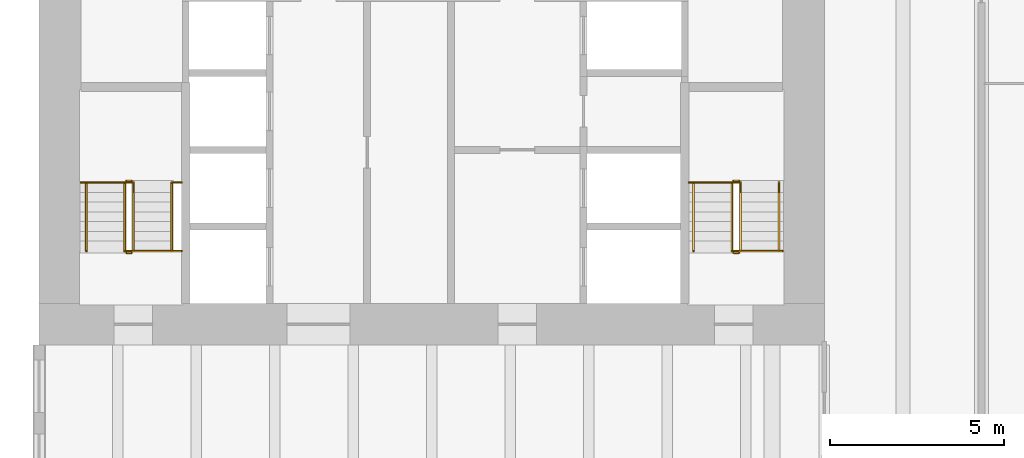
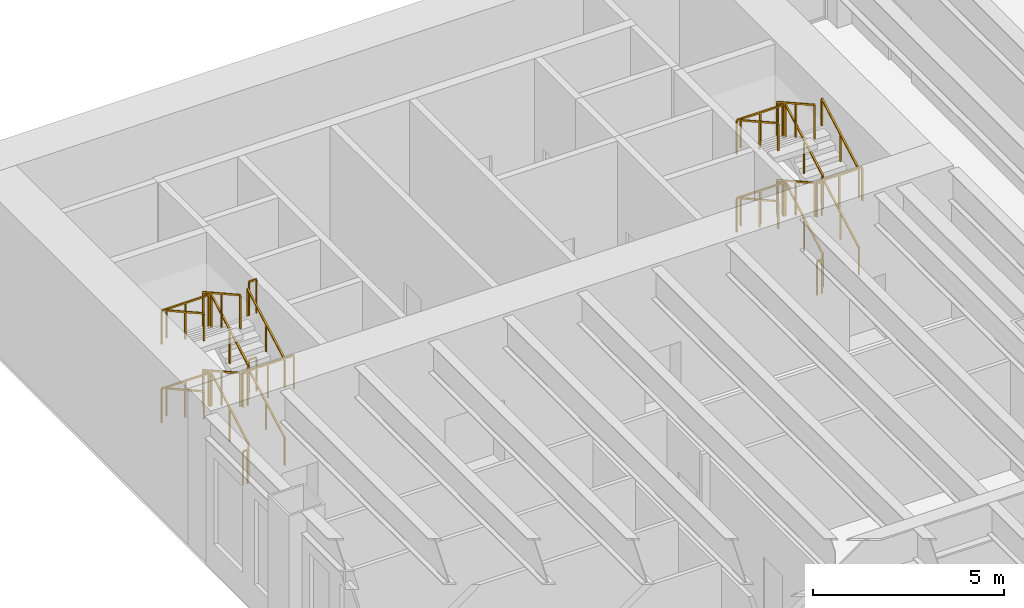
# One storey, part 18 of 19: 32 railings.
"""IFC4 building model written with IfcOpenShell, lengths in metres."""

from ifc_helpers import new_model, si_unit, direction, frame, origin, origin_2d, place, context, subcontext, project, spatial, rectangle, extrude, material, type_object, element, save


model = new_model("IFC4")

# Units and contexts
model_context = context("Model", 3, precision=1e-05, world=origin(), true_north=direction((0.0, 1.0)))
body_context = subcontext(model_context, "Body", "Model", "MODEL_VIEW")
ifc_project = project(units=[si_unit("LENGTHUNIT", "METRE"), si_unit("AREAUNIT", "SQUARE_METRE"), si_unit("VOLUMEUNIT", "CUBIC_METRE"), si_unit("PLANEANGLEUNIT", "RADIAN"), si_unit("MASSUNIT", "GRAM", prefix="KILO")], contexts=[model_context])

# Site, building, storey
site_placement = place(None, origin())
site = spatial("IfcSite", under=ifc_project, at=site_placement, CompositionType="ELEMENT")
building_placement = place(site_placement, origin())
building = spatial("IfcBuilding", under=site, at=building_placement, Name="Sennacour Bend Tower", CompositionType="ELEMENT")
storey_placement = place(building_placement, frame((0.0, 0.0, 14.0)))
storey = spatial("IfcBuildingStorey", under=building, at=storey_placement, Name="L02", CompositionType="ELEMENT", Elevation=14.0)

# Railings
ifc_material = material(Name="Stainless steel", Category="steel")
railing_type_1 = type_object("IfcRailingType", Name="RL-GUARD-1100", PredefinedType="GUARDRAIL", material=ifc_material)
railing_1_placement = place(storey_placement, frame((2.699951171875, 38.699951171875, 0.15625)))
element("IfcRailing", 1, at=railing_1_placement, inside=storey, type_object=railing_type_1, Name="L02 SB1 stair guard 1", PredefinedType="GUARDRAIL", context=body_context, shape_type="SweptSolid", body=[
    extrude(rectangle(XDim=0.048095703125, YDim=0.048095703125, at=origin_2d()), frame((0.0, 0.0, 1.076171875), z_axis=(0.0, 0.873232148454, 0.487304437602), x_axis=(-1.0, 0.0, 0.0)), (0.0, 0.0, 1.0), 2.244384765625),
    extrude(rectangle(XDim=0.0419921875, YDim=0.0419921875, at=origin_2d()), origin(), (0.0, 0.0, 1.0), 1.052001953125),
    extrude(rectangle(XDim=0.0419921875, YDim=0.0419921875, at=origin_2d()), frame((0.0, 0.97998046875, 0.546875)), (0.0, 0.0, 1.0), 1.052001953125),
    extrude(rectangle(XDim=0.0419921875, YDim=0.0419921875, at=origin_2d()), frame((0.0, 1.9599609375, 1.09375)), (0.0, 0.0, 1.0), 1.052001953125),
])
railing_2_placement = place(storey_placement, frame((2.64990234375, 40.7099609375, 1.25)))
element("IfcRailing", 2, at=railing_2_placement, inside=storey, type_object=railing_type_1, Name="L02 SB1 stair guard 2", PredefinedType="GUARDRAIL", context=body_context, shape_type="SweptSolid", body=[
    extrude(rectangle(XDim=0.048095703125, YDim=0.048095703125, at=origin_2d()), frame((0.0, 0.0, 1.076171875), z_axis=(-1.0, 0.0, 0.0), x_axis=(0.0, -1.0, 0.0)), (0.0, 0.0, 1.0), 0.14990234375),
    extrude(rectangle(XDim=0.0419921875, YDim=0.0419921875, at=origin_2d()), origin(), (0.0, 0.0, 1.0), 1.052001953125),
    extrude(rectangle(XDim=0.0419921875, YDim=0.0419921875, at=origin_2d()), frame((-0.14990234375, 0.0, 0.0)), (0.0, 0.0, 1.0), 1.052001953125),
])
railing_3_placement = place(storey_placement, frame((2.449951171875, 40.659912109375, 1.40625)))
element("IfcRailing", 3, at=railing_3_placement, inside=storey, type_object=railing_type_1, Name="L02 SB1 stair guard 4", PredefinedType="GUARDRAIL", context=body_context, shape_type="SweptSolid", body=[
    extrude(rectangle(XDim=0.048095703125, YDim=0.048095703125, at=origin_2d()), frame((0.0, 0.0, 1.076171875), z_axis=(0.0, -0.873232148454, 0.487304437602), x_axis=(1.0, 0.0, 0.0)), (0.0, 0.0, 1.0), 2.244384765625),
    extrude(rectangle(XDim=0.0419921875, YDim=0.0419921875, at=origin_2d()), origin(), (0.0, 0.0, 1.0), 1.052001953125),
    extrude(rectangle(XDim=0.0419921875, YDim=0.0419921875, at=origin_2d()), frame((0.0, -0.97998046875, 0.546875)), (0.0, 0.0, 1.0), 1.052001953125),
    extrude(rectangle(XDim=0.0419921875, YDim=0.0419921875, at=origin_2d()), frame((0.0, -1.9599609375, 1.09375)), (0.0, 0.0, 1.0), 1.052001953125),
])
railing_4_placement = place(storey_placement, frame((2.64990234375, 38.64990234375, 2.5)))
element("IfcRailing", 4, at=railing_4_placement, inside=storey, type_object=railing_type_1, Name="L02 SB1 stair guard 5", PredefinedType="GUARDRAIL", context=body_context, shape_type="SweptSolid", body=[
    extrude(rectangle(XDim=0.048095703125, YDim=0.048095703125, at=origin_2d()), frame((0.0, 0.0, 1.076171875), z_axis=(-1.0, 0.0, 0.0), x_axis=(0.0, -1.0, 0.0)), (0.0, 0.0, 1.0), 0.14990234375),
    extrude(rectangle(XDim=0.0419921875, YDim=0.0419921875, at=origin_2d()), origin(), (0.0, 0.0, 1.0), 1.052001953125),
    extrude(rectangle(XDim=0.0419921875, YDim=0.0419921875, at=origin_2d()), frame((-0.14990234375, 0.0, 0.0)), (0.0, 0.0, 1.0), 1.052001953125),
])
railing_5_placement = place(storey_placement, frame((2.699951171875, 38.699951171875, 2.65625)))
element("IfcRailing", 5, at=railing_5_placement, inside=storey, type_object=railing_type_1, Name="L02 SB1 stair guard 8", PredefinedType="GUARDRAIL", context=body_context, shape_type="SweptSolid", body=[
    extrude(rectangle(XDim=0.048095703125, YDim=0.048095703125, at=origin_2d()), frame((0.0, 0.0, 1.076171875), z_axis=(0.0, 0.873232148454, 0.487304437602), x_axis=(-1.0, 0.0, 0.0)), (0.0, 0.0, 1.0), 2.244384765625),
    extrude(rectangle(XDim=0.0419921875, YDim=0.0419921875, at=origin_2d()), origin(), (0.0, 0.0, 1.0), 1.052001953125),
    extrude(rectangle(XDim=0.0419921875, YDim=0.0419921875, at=origin_2d()), frame((0.0, 0.97998046875, 0.546875)), (0.0, 0.0, 1.0), 1.052001953125),
    extrude(rectangle(XDim=0.0419921875, YDim=0.0419921875, at=origin_2d()), frame((0.0, 1.9599609375, 1.09375)), (0.0, 0.0, 1.0), 1.052001953125),
])
railing_6_placement = place(storey_placement, frame((2.64990234375, 40.7099609375, 3.75)))
element("IfcRailing", 6, at=railing_6_placement, inside=storey, type_object=railing_type_1, Name="L02 SB1 stair guard 9", PredefinedType="GUARDRAIL", context=body_context, shape_type="SweptSolid", body=[
    extrude(rectangle(XDim=0.048095703125, YDim=0.048095703125, at=origin_2d()), frame((0.0, 0.0, 1.076171875), z_axis=(-1.0, 0.0, 0.0), x_axis=(0.0, -1.0, 0.0)), (0.0, 0.0, 1.0), 0.14990234375),
    extrude(rectangle(XDim=0.0419921875, YDim=0.0419921875, at=origin_2d()), origin(), (0.0, 0.0, 1.0), 1.052001953125),
    extrude(rectangle(XDim=0.0419921875, YDim=0.0419921875, at=origin_2d()), frame((-0.14990234375, 0.0, 0.0)), (0.0, 0.0, 1.0), 1.052001953125),
])
railing_7_placement = place(storey_placement, frame((2.449951171875, 40.659912109375, 3.90625)))
element("IfcRailing", 7, at=railing_7_placement, inside=storey, type_object=railing_type_1, Name="L02 SB1 stair guard 11", PredefinedType="GUARDRAIL", context=body_context, shape_type="SweptSolid", body=[
    extrude(rectangle(XDim=0.048095703125, YDim=0.048095703125, at=origin_2d()), frame((0.0, 0.0, 1.076171875), z_axis=(0.0, -0.873232148454, 0.487304437602), x_axis=(1.0, 0.0, 0.0)), (0.0, 0.0, 1.0), 2.244384765625),
    extrude(rectangle(XDim=0.0419921875, YDim=0.0419921875, at=origin_2d()), origin(), (0.0, 0.0, 1.0), 1.052001953125),
    extrude(rectangle(XDim=0.0419921875, YDim=0.0419921875, at=origin_2d()), frame((0.0, -0.97998046875, 0.546875)), (0.0, 0.0, 1.0), 1.052001953125),
    extrude(rectangle(XDim=0.0419921875, YDim=0.0419921875, at=origin_2d()), frame((0.0, -1.9599609375, 1.09375)), (0.0, 0.0, 1.0), 1.052001953125),
])
railing_8_placement = place(storey_placement, frame((2.64990234375, 38.64990234375, 0.0)))
element("IfcRailing", 8, at=railing_8_placement, inside=storey, type_object=railing_type_1, Name="L02 SB1 stair guard 12", PredefinedType="GUARDRAIL", context=body_context, shape_type="SweptSolid", body=[
    extrude(rectangle(XDim=0.048095703125, YDim=0.048095703125, at=origin_2d()), frame((0.0, 0.0, 1.076171875), z_axis=(-1.0, 0.0, 0.0), x_axis=(0.0, -1.0, 0.0)), (0.0, 0.0, 1.0), 0.14990234375),
    extrude(rectangle(XDim=0.0419921875, YDim=0.0419921875, at=origin_2d()), origin(), (0.0, 0.0, 1.0), 1.052001953125),
    extrude(rectangle(XDim=0.0419921875, YDim=0.0419921875, at=origin_2d()), frame((-0.14990234375, 0.0, 0.0)), (0.0, 0.0, 1.0), 1.052001953125),
])
railing_9_placement = place(storey_placement, frame((4.074951171875, 40.659912109375, 1.25)))
element("IfcRailing", 9, at=railing_9_placement, inside=storey, type_object=railing_type_1, Name="L02 SB1 landing edge guard 9", PredefinedType="GUARDRAIL", context=body_context, shape_type="SweptSolid", body=[
    extrude(rectangle(XDim=0.048095703125, YDim=0.048095703125, at=origin_2d()), frame((0.0, 0.0, 1.076171875), z_axis=(-1.0, 0.0, 0.0), x_axis=(0.0, -1.0, 0.0)), (0.0, 0.0, 1.0), 0.224853515625),
    extrude(rectangle(XDim=0.0419921875, YDim=0.0419921875, at=origin_2d()), origin(), (0.0, 0.0, 1.0), 1.052001953125),
    extrude(rectangle(XDim=0.0419921875, YDim=0.0419921875, at=origin_2d()), frame((-0.224853515625, 0.0, 0.0)), (0.0, 0.0, 1.0), 1.052001953125),
])
railing_10_placement = place(storey_placement, frame((2.64990234375, 40.659912109375, 1.25)))
element("IfcRailing", 10, at=railing_10_placement, inside=storey, type_object=railing_type_1, Name="L02 SB1 landing edge guard 10", PredefinedType="GUARDRAIL", context=body_context, shape_type="SweptSolid", body=[
    extrude(rectangle(XDim=0.048095703125, YDim=0.048095703125, at=origin_2d()), frame((0.0, 0.0, 1.076171875), z_axis=(-1.0, 0.0, 0.0), x_axis=(0.0, -1.0, 0.0)), (0.0, 0.0, 1.0), 1.449951171875),
    extrude(rectangle(XDim=0.0419921875, YDim=0.0419921875, at=origin_2d()), origin(), (0.0, 0.0, 1.0), 1.052001953125),
    extrude(rectangle(XDim=0.0419921875, YDim=0.0419921875, at=origin_2d()), frame((-0.72509765625, 0.0, 0.0)), (0.0, 0.0, 1.0), 1.052001953125),
    extrude(rectangle(XDim=0.0419921875, YDim=0.0419921875, at=origin_2d()), frame((-1.449951171875, 0.0, 0.0)), (0.0, 0.0, 1.0), 1.052001953125),
])
railing_11_placement = place(storey_placement, frame((2.5, 38.699951171875, 2.5)))
element("IfcRailing", 11, at=railing_11_placement, inside=storey, type_object=railing_type_1, Name="L02 SB1 landing edge guard 11", PredefinedType="GUARDRAIL", context=body_context, shape_type="SweptSolid", body=[
    extrude(rectangle(XDim=0.048095703125, YDim=0.048095703125, at=origin_2d()), frame((0.0, 0.0, 1.076171875), z_axis=(1.0, 0.0, 0.0), x_axis=(0.0, 1.0, 0.0)), (0.0, 0.0, 1.0), 1.574951171875),
    extrude(rectangle(XDim=0.0419921875, YDim=0.0419921875, at=origin_2d()), origin(), (0.0, 0.0, 1.0), 1.052001953125),
    extrude(rectangle(XDim=0.0419921875, YDim=0.0419921875, at=origin_2d()), frame((0.78759765625, 0.0, 0.0)), (0.0, 0.0, 1.0), 1.052001953125),
    extrude(rectangle(XDim=0.0419921875, YDim=0.0419921875, at=origin_2d()), frame((1.574951171875, 0.0, 0.0)), (0.0, 0.0, 1.0), 1.052001953125),
])
railing_12_placement = place(storey_placement, frame((4.074951171875, 40.659912109375, 3.75)))
element("IfcRailing", 12, at=railing_12_placement, inside=storey, type_object=railing_type_1, Name="L02 SB1 landing edge guard 12", PredefinedType="GUARDRAIL", context=body_context, shape_type="SweptSolid", body=[
    extrude(rectangle(XDim=0.048095703125, YDim=0.048095703125, at=origin_2d()), frame((0.0, 0.0, 1.076171875), z_axis=(-1.0, 0.0, 0.0), x_axis=(0.0, -1.0, 0.0)), (0.0, 0.0, 1.0), 0.224853515625),
    extrude(rectangle(XDim=0.0419921875, YDim=0.0419921875, at=origin_2d()), origin(), (0.0, 0.0, 1.0), 1.052001953125),
    extrude(rectangle(XDim=0.0419921875, YDim=0.0419921875, at=origin_2d()), frame((-0.224853515625, 0.0, 0.0)), (0.0, 0.0, 1.0), 1.052001953125),
])
railing_13_placement = place(storey_placement, frame((2.64990234375, 40.659912109375, 3.75)))
element("IfcRailing", 13, at=railing_13_placement, inside=storey, type_object=railing_type_1, Name="L02 SB1 landing edge guard 13", PredefinedType="GUARDRAIL", context=body_context, shape_type="SweptSolid", body=[
    extrude(rectangle(XDim=0.048095703125, YDim=0.048095703125, at=origin_2d()), frame((0.0, 0.0, 1.076171875), z_axis=(-1.0, 0.0, 0.0), x_axis=(0.0, -1.0, 0.0)), (0.0, 0.0, 1.0), 1.449951171875),
    extrude(rectangle(XDim=0.0419921875, YDim=0.0419921875, at=origin_2d()), origin(), (0.0, 0.0, 1.0), 1.052001953125),
    extrude(rectangle(XDim=0.0419921875, YDim=0.0419921875, at=origin_2d()), frame((-0.72509765625, 0.0, 0.0)), (0.0, 0.0, 1.0), 1.052001953125),
    extrude(rectangle(XDim=0.0419921875, YDim=0.0419921875, at=origin_2d()), frame((-1.449951171875, 0.0, 0.0)), (0.0, 0.0, 1.0), 1.052001953125),
])
railing_14_placement = place(storey_placement, frame((20.10009765625, 38.699951171875, 0.15625)))
element("IfcRailing", 14, at=railing_14_placement, inside=storey, type_object=railing_type_1, Name="L02 SB2 stair guard 1", PredefinedType="GUARDRAIL", context=body_context, shape_type="SweptSolid", body=[
    extrude(rectangle(XDim=0.048095703125, YDim=0.048095703125, at=origin_2d()), frame((0.0, 0.0, 1.076171875), z_axis=(0.0, 0.873232148454, 0.487304437602), x_axis=(-1.0, 0.0, 0.0)), (0.0, 0.0, 1.0), 2.244384765625),
    extrude(rectangle(XDim=0.0419921875, YDim=0.0419921875, at=origin_2d()), origin(), (0.0, 0.0, 1.0), 1.052001953125),
    extrude(rectangle(XDim=0.0419921875, YDim=0.0419921875, at=origin_2d()), frame((0.0, 0.97998046875, 0.546875)), (0.0, 0.0, 1.0), 1.052001953125),
    extrude(rectangle(XDim=0.0419921875, YDim=0.0419921875, at=origin_2d()), frame((0.0, 1.9599609375, 1.09375)), (0.0, 0.0, 1.0), 1.052001953125),
])
railing_15_placement = place(storey_placement, frame((20.050048828125, 40.7099609375, 1.25)))
element("IfcRailing", 15, at=railing_15_placement, inside=storey, type_object=railing_type_1, Name="L02 SB2 stair guard 2", PredefinedType="GUARDRAIL", context=body_context, shape_type="SweptSolid", body=[
    extrude(rectangle(XDim=0.048095703125, YDim=0.048095703125, at=origin_2d()), frame((0.0, 0.0, 1.076171875), z_axis=(-1.0, 0.0, 0.0), x_axis=(0.0, -1.0, 0.0)), (0.0, 0.0, 1.0), 0.150146484375),
    extrude(rectangle(XDim=0.0419921875, YDim=0.0419921875, at=origin_2d()), origin(), (0.0, 0.0, 1.0), 1.052001953125),
    extrude(rectangle(XDim=0.0419921875, YDim=0.0419921875, at=origin_2d()), frame((-0.150146484375, 0.0, 0.0)), (0.0, 0.0, 1.0), 1.052001953125),
])
railing_16_placement = place(storey_placement, frame((19.85009765625, 40.659912109375, 1.40625)))
element("IfcRailing", 16, at=railing_16_placement, inside=storey, type_object=railing_type_1, Name="L02 SB2 stair guard 4", PredefinedType="GUARDRAIL", context=body_context, shape_type="SweptSolid", body=[
    extrude(rectangle(XDim=0.048095703125, YDim=0.048095703125, at=origin_2d()), frame((0.0, 0.0, 1.076171875), z_axis=(0.0, -0.873232148454, 0.487304437602), x_axis=(1.0, 0.0, 0.0)), (0.0, 0.0, 1.0), 2.244384765625),
    extrude(rectangle(XDim=0.0419921875, YDim=0.0419921875, at=origin_2d()), origin(), (0.0, 0.0, 1.0), 1.052001953125),
    extrude(rectangle(XDim=0.0419921875, YDim=0.0419921875, at=origin_2d()), frame((0.0, -0.97998046875, 0.546875)), (0.0, 0.0, 1.0), 1.052001953125),
    extrude(rectangle(XDim=0.0419921875, YDim=0.0419921875, at=origin_2d()), frame((0.0, -1.9599609375, 1.09375)), (0.0, 0.0, 1.0), 1.052001953125),
])
railing_17_placement = place(storey_placement, frame((20.050048828125, 38.64990234375, 2.5)))
element("IfcRailing", 17, at=railing_17_placement, inside=storey, type_object=railing_type_1, Name="L02 SB2 stair guard 5", PredefinedType="GUARDRAIL", context=body_context, shape_type="SweptSolid", body=[
    extrude(rectangle(XDim=0.048095703125, YDim=0.048095703125, at=origin_2d()), frame((0.0, 0.0, 1.076171875), z_axis=(-1.0, 0.0, 0.0), x_axis=(0.0, -1.0, 0.0)), (0.0, 0.0, 1.0), 0.150146484375),
    extrude(rectangle(XDim=0.0419921875, YDim=0.0419921875, at=origin_2d()), origin(), (0.0, 0.0, 1.0), 1.052001953125),
    extrude(rectangle(XDim=0.0419921875, YDim=0.0419921875, at=origin_2d()), frame((-0.150146484375, 0.0, 0.0)), (0.0, 0.0, 1.0), 1.052001953125),
])
railing_18_placement = place(storey_placement, frame((20.10009765625, 38.699951171875, 2.65625)))
element("IfcRailing", 18, at=railing_18_placement, inside=storey, type_object=railing_type_1, Name="L02 SB2 stair guard 8", PredefinedType="GUARDRAIL", context=body_context, shape_type="SweptSolid", body=[
    extrude(rectangle(XDim=0.048095703125, YDim=0.048095703125, at=origin_2d()), frame((0.0, 0.0, 1.076171875), z_axis=(0.0, 0.873232148454, 0.487304437602), x_axis=(-1.0, 0.0, 0.0)), (0.0, 0.0, 1.0), 2.244384765625),
    extrude(rectangle(XDim=0.0419921875, YDim=0.0419921875, at=origin_2d()), origin(), (0.0, 0.0, 1.0), 1.052001953125),
    extrude(rectangle(XDim=0.0419921875, YDim=0.0419921875, at=origin_2d()), frame((0.0, 0.97998046875, 0.546875)), (0.0, 0.0, 1.0), 1.052001953125),
    extrude(rectangle(XDim=0.0419921875, YDim=0.0419921875, at=origin_2d()), frame((0.0, 1.9599609375, 1.09375)), (0.0, 0.0, 1.0), 1.052001953125),
])
railing_19_placement = place(storey_placement, frame((20.050048828125, 40.7099609375, 3.75)))
element("IfcRailing", 19, at=railing_19_placement, inside=storey, type_object=railing_type_1, Name="L02 SB2 stair guard 9", PredefinedType="GUARDRAIL", context=body_context, shape_type="SweptSolid", body=[
    extrude(rectangle(XDim=0.048095703125, YDim=0.048095703125, at=origin_2d()), frame((0.0, 0.0, 1.076171875), z_axis=(-1.0, 0.0, 0.0), x_axis=(0.0, -1.0, 0.0)), (0.0, 0.0, 1.0), 0.150146484375),
    extrude(rectangle(XDim=0.0419921875, YDim=0.0419921875, at=origin_2d()), origin(), (0.0, 0.0, 1.0), 1.052001953125),
    extrude(rectangle(XDim=0.0419921875, YDim=0.0419921875, at=origin_2d()), frame((-0.150146484375, 0.0, 0.0)), (0.0, 0.0, 1.0), 1.052001953125),
])
railing_20_placement = place(storey_placement, frame((19.85009765625, 40.659912109375, 3.90625)))
element("IfcRailing", 20, at=railing_20_placement, inside=storey, type_object=railing_type_1, Name="L02 SB2 stair guard 11", PredefinedType="GUARDRAIL", context=body_context, shape_type="SweptSolid", body=[
    extrude(rectangle(XDim=0.048095703125, YDim=0.048095703125, at=origin_2d()), frame((0.0, 0.0, 1.076171875), z_axis=(0.0, -0.873232148454, 0.487304437602), x_axis=(1.0, 0.0, 0.0)), (0.0, 0.0, 1.0), 2.244384765625),
    extrude(rectangle(XDim=0.0419921875, YDim=0.0419921875, at=origin_2d()), origin(), (0.0, 0.0, 1.0), 1.052001953125),
    extrude(rectangle(XDim=0.0419921875, YDim=0.0419921875, at=origin_2d()), frame((0.0, -0.97998046875, 0.546875)), (0.0, 0.0, 1.0), 1.052001953125),
    extrude(rectangle(XDim=0.0419921875, YDim=0.0419921875, at=origin_2d()), frame((0.0, -1.9599609375, 1.09375)), (0.0, 0.0, 1.0), 1.052001953125),
])
railing_21_placement = place(storey_placement, frame((20.050048828125, 38.64990234375, 0.0)))
element("IfcRailing", 21, at=railing_21_placement, inside=storey, type_object=railing_type_1, Name="L02 SB2 stair guard 12", PredefinedType="GUARDRAIL", context=body_context, shape_type="SweptSolid", body=[
    extrude(rectangle(XDim=0.048095703125, YDim=0.048095703125, at=origin_2d()), frame((0.0, 0.0, 1.076171875), z_axis=(-1.0, 0.0, 0.0), x_axis=(0.0, -1.0, 0.0)), (0.0, 0.0, 1.0), 0.150146484375),
    extrude(rectangle(XDim=0.0419921875, YDim=0.0419921875, at=origin_2d()), origin(), (0.0, 0.0, 1.0), 1.052001953125),
    extrude(rectangle(XDim=0.0419921875, YDim=0.0419921875, at=origin_2d()), frame((-0.150146484375, 0.0, 0.0)), (0.0, 0.0, 1.0), 1.052001953125),
])
railing_22_placement = place(storey_placement, frame((20.050048828125, 40.659912109375, 1.25)))
element("IfcRailing", 22, at=railing_22_placement, inside=storey, type_object=railing_type_1, Name="L02 SB2 landing edge guard 7", PredefinedType="GUARDRAIL", context=body_context, shape_type="SweptSolid", body=[
    extrude(rectangle(XDim=0.048095703125, YDim=0.048095703125, at=origin_2d()), frame((0.0, 0.0, 1.076171875), z_axis=(-1.0, 0.0, 0.0), x_axis=(0.0, -1.0, 0.0)), (0.0, 0.0, 1.0), 1.425048828125),
    extrude(rectangle(XDim=0.0419921875, YDim=0.0419921875, at=origin_2d()), origin(), (0.0, 0.0, 1.0), 1.052001953125),
    extrude(rectangle(XDim=0.0419921875, YDim=0.0419921875, at=origin_2d()), frame((-0.71240234375, 0.0, 0.0)), (0.0, 0.0, 1.0), 1.052001953125),
    extrude(rectangle(XDim=0.0419921875, YDim=0.0419921875, at=origin_2d()), frame((-1.425048828125, 0.0, 0.0)), (0.0, 0.0, 1.0), 1.052001953125),
])
railing_23_placement = place(storey_placement, frame((19.89990234375, 38.699951171875, 2.5)))
element("IfcRailing", 23, at=railing_23_placement, inside=storey, type_object=railing_type_1, Name="L02 SB2 landing edge guard 8", PredefinedType="GUARDRAIL", context=body_context, shape_type="SweptSolid", body=[
    extrude(rectangle(XDim=0.048095703125, YDim=0.048095703125, at=origin_2d()), frame((0.0, 0.0, 1.076171875), z_axis=(1.0, 0.0, 0.0), x_axis=(0.0, 1.0, 0.0)), (0.0, 0.0, 1.0), 1.400146484375),
    extrude(rectangle(XDim=0.0419921875, YDim=0.0419921875, at=origin_2d()), origin(), (0.0, 0.0, 1.0), 1.052001953125),
    extrude(rectangle(XDim=0.0419921875, YDim=0.0419921875, at=origin_2d()), frame((0.7001953125, 0.0, 0.0)), (0.0, 0.0, 1.0), 1.052001953125),
    extrude(rectangle(XDim=0.0419921875, YDim=0.0419921875, at=origin_2d()), frame((1.400146484375, 0.0, 0.0)), (0.0, 0.0, 1.0), 1.052001953125),
])
railing_24_placement = place(storey_placement, frame((20.050048828125, 40.659912109375, 3.75)))
element("IfcRailing", 24, at=railing_24_placement, inside=storey, type_object=railing_type_1, Name="L02 SB2 landing edge guard 9", PredefinedType="GUARDRAIL", context=body_context, shape_type="SweptSolid", body=[
    extrude(rectangle(XDim=0.048095703125, YDim=0.048095703125, at=origin_2d()), frame((0.0, 0.0, 1.076171875), z_axis=(-1.0, 0.0, 0.0), x_axis=(0.0, -1.0, 0.0)), (0.0, 0.0, 1.0), 1.425048828125),
    extrude(rectangle(XDim=0.0419921875, YDim=0.0419921875, at=origin_2d()), origin(), (0.0, 0.0, 1.0), 1.052001953125),
    extrude(rectangle(XDim=0.0419921875, YDim=0.0419921875, at=origin_2d()), frame((-0.71240234375, 0.0, 0.0)), (0.0, 0.0, 1.0), 1.052001953125),
    extrude(rectangle(XDim=0.0419921875, YDim=0.0419921875, at=origin_2d()), frame((-1.425048828125, 0.0, 0.0)), (0.0, 0.0, 1.0), 1.052001953125),
])
railing_type_2 = type_object("IfcRailingType", Name="RL-HANDRAIL-900", PredefinedType="HANDRAIL", material=ifc_material)
railing_25_placement = place(storey_placement, frame((3.800048828125, 38.699951171875, 0.15625)))
element("IfcRailing", 25, at=railing_25_placement, inside=storey, type_object=railing_type_2, Name="L02 SB1 stair handrail 1", PredefinedType="HANDRAIL", context=body_context, shape_type="SweptSolid", body=[
    extrude(rectangle(XDim=0.048095703125, YDim=0.048095703125, at=origin_2d()), frame((0.0, 0.0, 0.8759765625), z_axis=(0.0, 0.873232148454, 0.487304437602), x_axis=(-1.0, 0.0, 0.0)), (0.0, 0.0, 1.0), 2.244384765625),
    extrude(rectangle(XDim=0.0419921875, YDim=0.0419921875, at=origin_2d()), origin(), (0.0, 0.0, 1.0), 0.851806640625),
    extrude(rectangle(XDim=0.0419921875, YDim=0.0419921875, at=origin_2d()), frame((0.0, 0.97998046875, 0.546875)), (0.0, 0.0, 1.0), 0.851806640625),
    extrude(rectangle(XDim=0.0419921875, YDim=0.0419921875, at=origin_2d()), frame((0.0, 1.9599609375, 1.09375)), (0.0, 0.0, 1.0), 0.851806640625),
])
railing_26_placement = place(storey_placement, frame((1.35009765625, 40.659912109375, 1.40625)))
element("IfcRailing", 26, at=railing_26_placement, inside=storey, type_object=railing_type_2, Name="L02 SB1 stair handrail 2", PredefinedType="HANDRAIL", context=body_context, shape_type="SweptSolid", body=[
    extrude(rectangle(XDim=0.048095703125, YDim=0.048095703125, at=origin_2d()), frame((0.0, 0.0, 0.8759765625), z_axis=(0.0, -0.873232148454, 0.487304437602), x_axis=(1.0, 0.0, 0.0)), (0.0, 0.0, 1.0), 2.244384765625),
    extrude(rectangle(XDim=0.0419921875, YDim=0.0419921875, at=origin_2d()), origin(), (0.0, 0.0, 1.0), 0.851806640625),
    extrude(rectangle(XDim=0.0419921875, YDim=0.0419921875, at=origin_2d()), frame((0.0, -0.97998046875, 0.546875)), (0.0, 0.0, 1.0), 0.851806640625),
    extrude(rectangle(XDim=0.0419921875, YDim=0.0419921875, at=origin_2d()), frame((0.0, -1.9599609375, 1.09375)), (0.0, 0.0, 1.0), 0.851806640625),
])
railing_27_placement = place(storey_placement, frame((3.800048828125, 38.699951171875, 2.65625)))
element("IfcRailing", 27, at=railing_27_placement, inside=storey, type_object=railing_type_2, Name="L02 SB1 stair handrail 3", PredefinedType="HANDRAIL", context=body_context, shape_type="SweptSolid", body=[
    extrude(rectangle(XDim=0.048095703125, YDim=0.048095703125, at=origin_2d()), frame((0.0, 0.0, 0.8759765625), z_axis=(0.0, 0.873232148454, 0.487304437602), x_axis=(-1.0, 0.0, 0.0)), (0.0, 0.0, 1.0), 2.244384765625),
    extrude(rectangle(XDim=0.0419921875, YDim=0.0419921875, at=origin_2d()), origin(), (0.0, 0.0, 1.0), 0.851806640625),
    extrude(rectangle(XDim=0.0419921875, YDim=0.0419921875, at=origin_2d()), frame((0.0, 0.97998046875, 0.546875)), (0.0, 0.0, 1.0), 0.851806640625),
    extrude(rectangle(XDim=0.0419921875, YDim=0.0419921875, at=origin_2d()), frame((0.0, 1.9599609375, 1.09375)), (0.0, 0.0, 1.0), 0.851806640625),
])
railing_28_placement = place(storey_placement, frame((1.35009765625, 40.659912109375, 3.90625)))
element("IfcRailing", 28, at=railing_28_placement, inside=storey, type_object=railing_type_2, Name="L02 SB1 stair handrail 4", PredefinedType="HANDRAIL", context=body_context, shape_type="SweptSolid", body=[
    extrude(rectangle(XDim=0.048095703125, YDim=0.048095703125, at=origin_2d()), frame((0.0, 0.0, 0.8759765625), z_axis=(0.0, -0.873232148454, 0.487304437602), x_axis=(1.0, 0.0, 0.0)), (0.0, 0.0, 1.0), 2.244384765625),
    extrude(rectangle(XDim=0.0419921875, YDim=0.0419921875, at=origin_2d()), origin(), (0.0, 0.0, 1.0), 0.851806640625),
    extrude(rectangle(XDim=0.0419921875, YDim=0.0419921875, at=origin_2d()), frame((0.0, -0.97998046875, 0.546875)), (0.0, 0.0, 1.0), 0.851806640625),
    extrude(rectangle(XDim=0.0419921875, YDim=0.0419921875, at=origin_2d()), frame((0.0, -1.9599609375, 1.09375)), (0.0, 0.0, 1.0), 0.851806640625),
])
railing_29_placement = place(storey_placement, frame((21.199951171875, 38.699951171875, 0.15625)))
element("IfcRailing", 29, at=railing_29_placement, inside=storey, type_object=railing_type_2, Name="L02 SB2 stair handrail 1", PredefinedType="HANDRAIL", context=body_context, shape_type="SweptSolid", body=[
    extrude(rectangle(XDim=0.048095703125, YDim=0.048095703125, at=origin_2d()), frame((0.0, 0.0, 0.8759765625), z_axis=(0.0, 0.873232148454, 0.487304437602), x_axis=(-1.0, 0.0, 0.0)), (0.0, 0.0, 1.0), 2.244384765625),
    extrude(rectangle(XDim=0.0419921875, YDim=0.0419921875, at=origin_2d()), origin(), (0.0, 0.0, 1.0), 0.851806640625),
    extrude(rectangle(XDim=0.0419921875, YDim=0.0419921875, at=origin_2d()), frame((0.0, 0.97998046875, 0.546875)), (0.0, 0.0, 1.0), 0.851806640625),
    extrude(rectangle(XDim=0.0419921875, YDim=0.0419921875, at=origin_2d()), frame((0.0, 1.9599609375, 1.09375)), (0.0, 0.0, 1.0), 0.851806640625),
])
railing_30_placement = place(storey_placement, frame((18.75, 40.659912109375, 1.40625)))
element("IfcRailing", 30, at=railing_30_placement, inside=storey, type_object=railing_type_2, Name="L02 SB2 stair handrail 2", PredefinedType="HANDRAIL", context=body_context, shape_type="SweptSolid", body=[
    extrude(rectangle(XDim=0.048095703125, YDim=0.048095703125, at=origin_2d()), frame((0.0, 0.0, 0.8759765625), z_axis=(0.0, -0.873232148454, 0.487304437602), x_axis=(1.0, 0.0, 0.0)), (0.0, 0.0, 1.0), 2.244384765625),
    extrude(rectangle(XDim=0.0419921875, YDim=0.0419921875, at=origin_2d()), origin(), (0.0, 0.0, 1.0), 0.851806640625),
    extrude(rectangle(XDim=0.0419921875, YDim=0.0419921875, at=origin_2d()), frame((0.0, -0.97998046875, 0.546875)), (0.0, 0.0, 1.0), 0.851806640625),
    extrude(rectangle(XDim=0.0419921875, YDim=0.0419921875, at=origin_2d()), frame((0.0, -1.9599609375, 1.09375)), (0.0, 0.0, 1.0), 0.851806640625),
])
railing_31_placement = place(storey_placement, frame((21.199951171875, 38.699951171875, 2.65625)))
element("IfcRailing", 31, at=railing_31_placement, inside=storey, type_object=railing_type_2, Name="L02 SB2 stair handrail 3", PredefinedType="HANDRAIL", context=body_context, shape_type="SweptSolid", body=[
    extrude(rectangle(XDim=0.048095703125, YDim=0.048095703125, at=origin_2d()), frame((0.0, 0.0, 0.8759765625), z_axis=(0.0, 0.873232148454, 0.487304437602), x_axis=(-1.0, 0.0, 0.0)), (0.0, 0.0, 1.0), 2.244384765625),
    extrude(rectangle(XDim=0.0419921875, YDim=0.0419921875, at=origin_2d()), origin(), (0.0, 0.0, 1.0), 0.851806640625),
    extrude(rectangle(XDim=0.0419921875, YDim=0.0419921875, at=origin_2d()), frame((0.0, 0.97998046875, 0.546875)), (0.0, 0.0, 1.0), 0.851806640625),
    extrude(rectangle(XDim=0.0419921875, YDim=0.0419921875, at=origin_2d()), frame((0.0, 1.9599609375, 1.09375)), (0.0, 0.0, 1.0), 0.851806640625),
])
railing_32_placement = place(storey_placement, frame((18.75, 40.659912109375, 3.90625)))
element("IfcRailing", 32, at=railing_32_placement, inside=storey, type_object=railing_type_2, Name="L02 SB2 stair handrail 4", PredefinedType="HANDRAIL", context=body_context, shape_type="SweptSolid", body=[
    extrude(rectangle(XDim=0.048095703125, YDim=0.048095703125, at=origin_2d()), frame((0.0, 0.0, 0.8759765625), z_axis=(0.0, -0.873232148454, 0.487304437602), x_axis=(1.0, 0.0, 0.0)), (0.0, 0.0, 1.0), 2.244384765625),
    extrude(rectangle(XDim=0.0419921875, YDim=0.0419921875, at=origin_2d()), origin(), (0.0, 0.0, 1.0), 0.851806640625),
    extrude(rectangle(XDim=0.0419921875, YDim=0.0419921875, at=origin_2d()), frame((0.0, -0.97998046875, 0.546875)), (0.0, 0.0, 1.0), 0.851806640625),
    extrude(rectangle(XDim=0.0419921875, YDim=0.0419921875, at=origin_2d()), frame((0.0, -1.9599609375, 1.09375)), (0.0, 0.0, 1.0), 0.851806640625),
])

save(model, "model.ifc")
